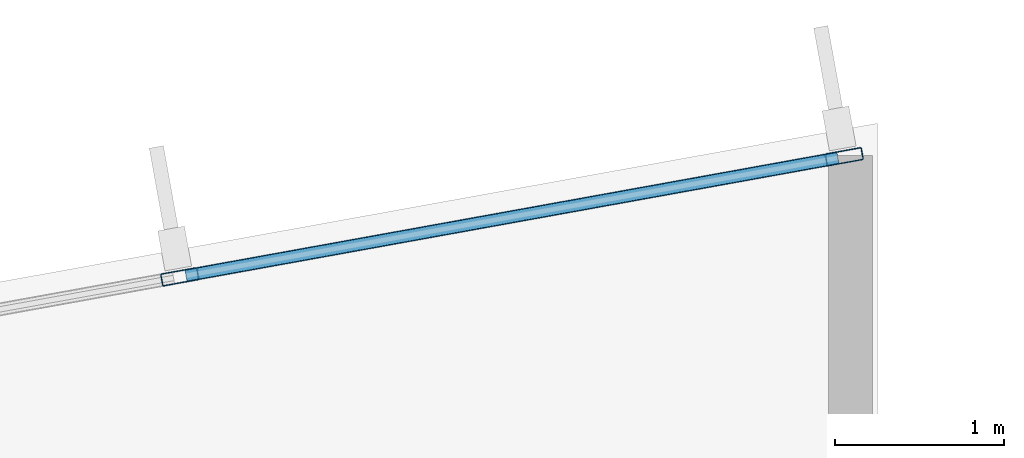
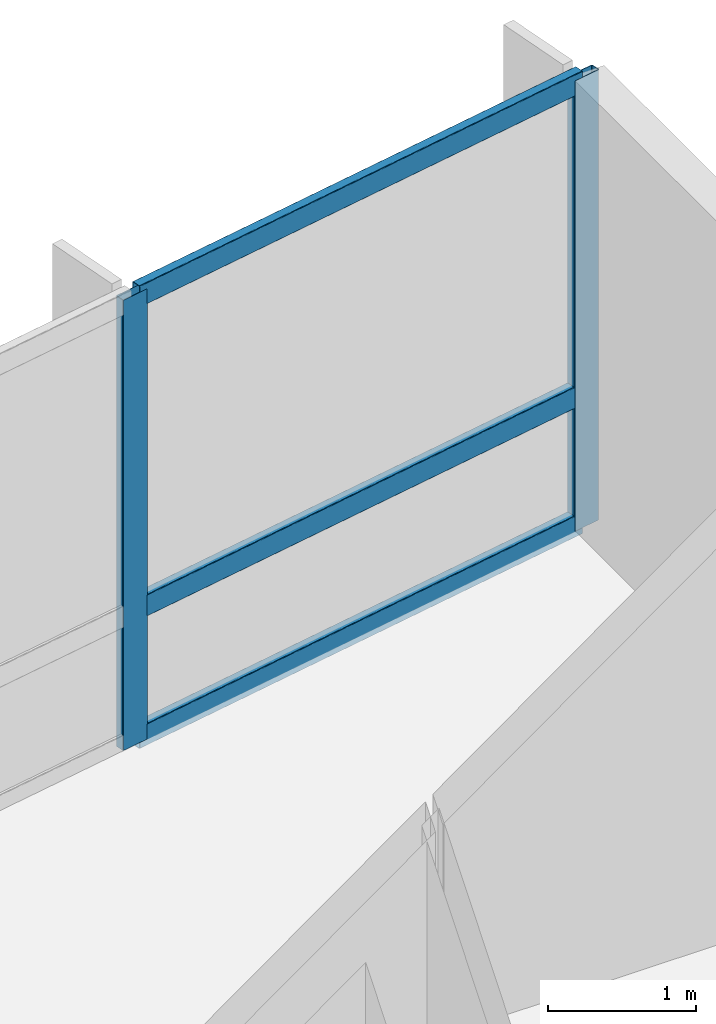
# One storey, part 10 of 20: 5 members, 1 element without a shape of its own.
"""IFC4 building model written with IfcOpenShell, lengths in metres."""

from ifc_helpers import new_model, si_unit, direction, frame, origin, origin_2d, place, context, subcontext, project, spatial, hollow_rectangle, extrude, material, layer, layer_set, material_profile, profile_set, type_object, element, aggregate, save


model = new_model("IFC4")

# Units and contexts
model_context = context("Model", 3, precision=1e-05, world=origin(), true_north=direction((0.0, 1.0)))
body_context = subcontext(model_context, "Body", "Model", "MODEL_VIEW")
ifc_project = project(units=[si_unit("LENGTHUNIT", "METRE"), si_unit("AREAUNIT", "SQUARE_METRE"), si_unit("VOLUMEUNIT", "CUBIC_METRE"), si_unit("PLANEANGLEUNIT", "RADIAN"), si_unit("MASSUNIT", "GRAM", prefix="KILO")], contexts=[model_context])

# Site, building, storey
site_placement = place(None, origin())
site = spatial("IfcSite", under=ifc_project, at=site_placement, CompositionType="ELEMENT")
building_placement = place(site_placement, origin())
building = spatial("IfcBuilding", under=site, at=building_placement, Name="Varnakote Quay Hospital", CompositionType="ELEMENT")
storey_placement = place(building_placement, frame((0.0, 0.0, 81.75)))
storey = spatial("IfcBuildingStorey", under=building, at=storey_placement, Name="L20", CompositionType="ELEMENT", Elevation=81.75)

# Curtain wall, members
ifc_material_1 = material(Name="Anodised aluminium 6063-T6 Bronze", Category="aluminium")
ifc_layer = layer(ifc_material_1, 0.18994140625)
ifc_layer_set = layer_set([ifc_layer], Name="Anodised aluminium 6063-T6 Bronze")
curtain_wall_type = type_object("IfcCurtainWallType", Name="CW-SYS-2", PredefinedType="NOTDEFINED", material=ifc_layer_set)
curtain_wall_placement = place(storey_placement, origin())
curtain_wall = element("IfcCurtainWall", 1, at=curtain_wall_placement, inside=storey, type_object=curtain_wall_type, Name="L20 Unitised Bronze Curtain Wall 2", PredefinedType="NOTDEFINED")
ifc_material_2 = material(Name="Anodised aluminium 6063-T6 Bronze", Category="aluminium")
ifc_material_profile_1 = material_profile(ifc_material_2, hollow_rectangle(XDim=0.074951171875, YDim=0.219970703125, WallThickness=0.00439453125, InnerFilletRadius=0.00439453125, OuterFilletRadius=0.009033203125, at=origin_2d()), Name="CW-MULL-220x75")
ifc_profile_set_1 = profile_set([ifc_material_profile_1], Name="Anodised aluminium 6063-T6 Bronze")
member_type_1 = type_object("IfcMemberType", Name="CW-MULL-220x75", PredefinedType="MULLION", material=ifc_profile_set_1)
member_1_placement = place(storey_placement, frame((55.403076171875, 34.201904296875, 0.0), z_axis=(0.0, 0.0, 1.0), x_axis=(0.177846199098, -0.984058295766, 0.0)))
member_1 = element("IfcMember", 2, at=member_1_placement, type_object=member_type_1, Name="-2-L20-2 mullion 1", PredefinedType="MULLION", context=body_context, shape_type="SweptSolid", body=[
    extrude(hollow_rectangle(XDim=0.074951171875, YDim=0.219970703125, WallThickness=0.00439453125, InnerFilletRadius=0.00439453125, OuterFilletRadius=0.009033203125, at=origin_2d()), origin(), (0.0, 0.0, 1.0), 3.7099609375),
])
member_2_placement = place(storey_placement, frame((51.477294921875, 33.492431640625, 0.0), z_axis=(0.0, 0.0, 1.0), x_axis=(0.177846199098, -0.984058295766, 0.0)))
member_2 = element("IfcMember", 3, at=member_2_placement, type_object=member_type_1, Name="-2-L20-2 mullion 2", PredefinedType="MULLION", context=body_context, shape_type="SweptSolid", body=[
    extrude(hollow_rectangle(XDim=0.074951171875, YDim=0.219970703125, WallThickness=0.00439453125, InnerFilletRadius=0.00439453125, OuterFilletRadius=0.009033203125, at=origin_2d()), origin(), (0.0, 0.0, 1.0), 3.7099609375),
])
ifc_material_3 = material(Name="Anodised aluminium 6063-T6 Bronze", Category="aluminium")
ifc_material_profile_2 = material_profile(ifc_material_3, hollow_rectangle(XDim=0.074951171875, YDim=0.179931640625, WallThickness=0.004150390625, InnerFilletRadius=0.004150390625, OuterFilletRadius=0.00830078125, at=origin_2d()), Name="CW-TRAN-180x75")
ifc_profile_set_2 = profile_set([ifc_material_profile_2], Name="Anodised aluminium 6063-T6 Bronze")
member_type_2 = type_object("IfcMemberType", Name="CW-TRAN-180x75", PredefinedType="USERDEFINED", material=ifc_profile_set_2)
member_3_placement = place(storey_placement, frame((55.3662109375, 34.195068359375, 0.03759765625), z_axis=(-0.984061948229, -0.177825988109, 0.0), x_axis=(0.177825988109, -0.984061948229, 0.0)))
member_3 = element("IfcMember", 4, at=member_3_placement, type_object=member_type_2, Name="-2-L20-2 transom 1.1", ObjectType="TRANSOM", PredefinedType="USERDEFINED", context=body_context, shape_type="SweptSolid", body=[
    extrude(hollow_rectangle(XDim=0.074951171875, YDim=0.179931640625, WallThickness=0.004150390625, InnerFilletRadius=0.004150390625, OuterFilletRadius=0.00830078125, at=origin_2d()), origin(), (0.0, 0.0, 1.0), 3.914306640625),
])
member_4_placement = place(storey_placement, frame((55.3662109375, 34.195068359375, 1.10009765625), z_axis=(-0.984061948229, -0.177825988109, 0.0), x_axis=(0.177825988109, -0.984061948229, 0.0)))
member_4 = element("IfcMember", 5, at=member_4_placement, type_object=member_type_2, Name="-2-L20-2 transom 1.2", ObjectType="TRANSOM", PredefinedType="USERDEFINED", context=body_context, shape_type="SweptSolid", body=[
    extrude(hollow_rectangle(XDim=0.074951171875, YDim=0.179931640625, WallThickness=0.004150390625, InnerFilletRadius=0.004150390625, OuterFilletRadius=0.00830078125, at=origin_2d()), origin(), (0.0, 0.0, 1.0), 3.914306640625),
])
member_5_placement = place(storey_placement, frame((55.3662109375, 34.195068359375, 3.672607421875), z_axis=(-0.984061948229, -0.177825988109, 0.0), x_axis=(0.177825988109, -0.984061948229, 0.0)))
member_5 = element("IfcMember", 6, at=member_5_placement, type_object=member_type_2, Name="-2-L20-2 transom 1.3", ObjectType="TRANSOM", PredefinedType="USERDEFINED", context=body_context, shape_type="SweptSolid", body=[
    extrude(hollow_rectangle(XDim=0.074951171875, YDim=0.179931640625, WallThickness=0.004150390625, InnerFilletRadius=0.004150390625, OuterFilletRadius=0.00830078125, at=origin_2d()), origin(), (0.0, 0.0, 1.0), 3.914306640625),
])
aggregate(curtain_wall, [member_1, member_2, member_3, member_4, member_5])

save(model, "model.ifc")
